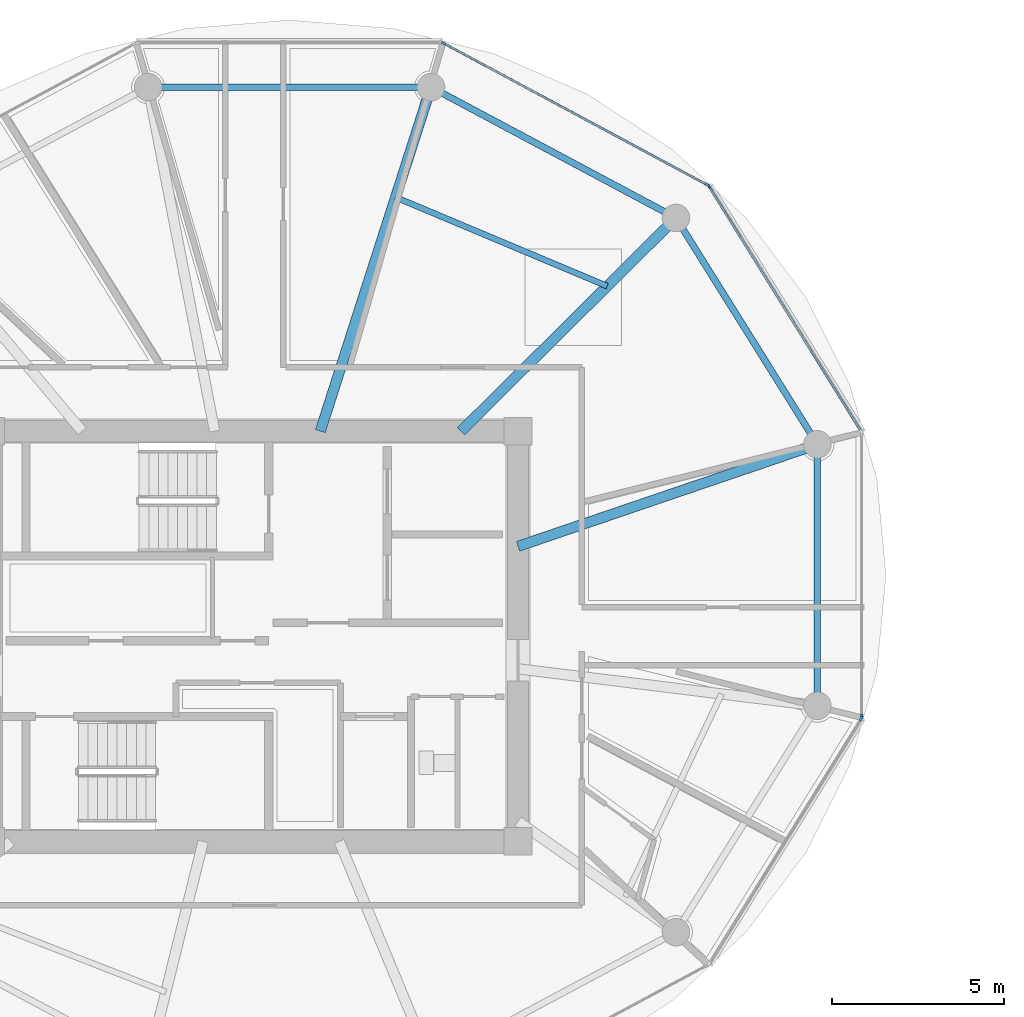
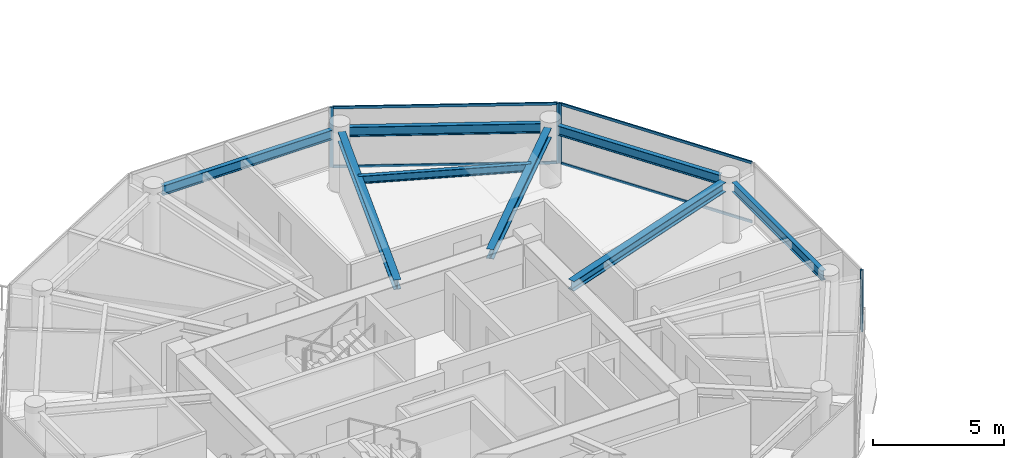
# One storey, part 5 of 25: 9 members, 8 beams, 4 elements without a shape of their own.
"""IFC4 building model written with IfcOpenShell, lengths in metres."""

from ifc_helpers import new_model, si_unit, direction, frame, origin, origin_2d, place, context, subcontext, project, spatial, rectangle, i_section, extrude, source, transform, mapped, material, layer, layer_set, material_profile, profile_set, type_object, type_shapes, element, aggregate, save


model = new_model("IFC4")

# Units and contexts
model_context = context("Model", 3, precision=1e-05, world=origin(), true_north=direction((0.0, 1.0)))
body_context = subcontext(model_context, "Body", "Model", "MODEL_VIEW")
ifc_project = project(units=[si_unit("LENGTHUNIT", "METRE"), si_unit("AREAUNIT", "SQUARE_METRE"), si_unit("VOLUMEUNIT", "CUBIC_METRE"), si_unit("PLANEANGLEUNIT", "RADIAN"), si_unit("MASSUNIT", "GRAM", prefix="KILO")], contexts=[model_context])

# Site, building, storey
site_placement = place(None, origin())
site = spatial("IfcSite", under=ifc_project, at=site_placement, CompositionType="ELEMENT")
building_placement = place(site_placement, origin())
building = spatial("IfcBuilding", under=site, at=building_placement, Name="Norrkilde Senior Care Towers", CompositionType="ELEMENT")
storey_placement = place(building_placement, frame((0.0, 0.0, 161.75)))
storey = spatial("IfcBuildingStorey", under=building, at=storey_placement, Name="L50", CompositionType="ELEMENT", Elevation=161.75)

# Beams
ifc_material_1 = material(Name="Steel S355", Category="steel")
ifc_material_profile_1 = material_profile(ifc_material_1, i_section(OverallWidth=0.18994140625, OverallDepth=0.449951171875, WebThickness=0.009521484375, FlangeThickness=0.0146484375, FilletRadius=0.02099609375, at=origin_2d()), Name="IPE 450")
ifc_profile_set_1 = profile_set([ifc_material_profile_1], Name="Steel S355")
beam_type_1 = type_object("IfcBeamType", Name="Perimeter Ring Spandrel Z3 IPE450", PredefinedType="SPANDREL", material=ifc_profile_set_1)
shared_shape_1 = source(origin(), body_context, "Body", "SweptSolid", [
    extrude(i_section(OverallWidth=0.18994140625, OverallDepth=0.449951171875, WebThickness=0.009521484375, FlangeThickness=0.0146484375, FilletRadius=0.02099609375, at=origin_2d()), origin(), (0.0, 0.0, 1.0), 7.0234375),
])
beam_1_placement = place(storey_placement, frame((-11.855712890625, 5.872314453125, 2.5849609375), z_axis=(-0.529789577822, 0.848129119433, 0.0), x_axis=(-0.848129119433, -0.529789577822, 0.0)))
element("IfcBeam", 1, at=beam_1_placement, inside=storey, type_object=beam_type_1, Name="L50 Drum W Perimeter Spandrel 01", PredefinedType="SPANDREL", context=body_context, shape_type="MappedRepresentation", body=[
    mapped(shared_shape_1, transform((0.0, 0.0, 0.0), x_axis=(1.0, 0.0, 0.0), y_axis=(0.0, 1.0, 0.0), z_axis=(0.0, 0.0, 1.0), scale=1.0)),
])
ifc_material_profile_2 = material_profile(ifc_material_1, i_section(OverallWidth=0.300048828125, OverallDepth=0.449951171875, WebThickness=0.013916015625, FlangeThickness=0.02587890625, FilletRadius=0.027099609375, at=origin_2d()), Name="HEB 450")
ifc_profile_set_2 = profile_set([ifc_material_profile_2], Name="Steel S355")
beam_type_2 = type_object("IfcBeamType", Name="Radial Floor Beam Z3 HEB450", PredefinedType="BEAM", material=ifc_profile_set_2)
shared_shape_2 = source(origin(), body_context, "Body", "SweptSolid", [
    extrude(i_section(OverallWidth=0.300048828125, OverallDepth=0.449951171875, WebThickness=0.013916015625, FlangeThickness=0.02587890625, FilletRadius=0.027099609375, at=origin_2d()), origin(), (0.0, 0.0, 1.0), 8.8154296875),
])
beam_2_placement = place(storey_placement, frame((-20.35009765625, 2.607177734375, 2.5849609375), z_axis=(0.946540556878, 0.322584832539, 0.0), x_axis=(-0.322584832539, 0.946540556878, 0.0)))
element("IfcBeam", 2, at=beam_2_placement, inside=storey, type_object=beam_type_2, Name="L50 Drum W Radial Floor Beam 01", PredefinedType="BEAM", context=body_context, shape_type="MappedRepresentation", body=[
    mapped(shared_shape_2, transform((0.0, 0.0, 0.0), x_axis=(1.0, 0.0, 0.0), y_axis=(0.0, 1.0, 0.0), z_axis=(0.0, 0.0, 1.0), scale=1.0)),
])
shared_shape_3 = source(origin(), body_context, "Body", "SweptSolid", [
    extrude(i_section(OverallWidth=0.18994140625, OverallDepth=0.449951171875, WebThickness=0.009521484375, FlangeThickness=0.0146484375, FilletRadius=0.02099609375, at=origin_2d()), origin(), (0.0, 0.0, 1.0), 7.333740234375),
])
beam_3_placement = place(storey_placement, frame((-16.0849609375, 12.303955078125, 2.5849609375), z_axis=(-0.882247866069, 0.470785198172, 0.0), x_axis=(-0.470785198172, -0.882247866069, 0.0)))
element("IfcBeam", 3, at=beam_3_placement, inside=storey, type_object=beam_type_1, Name="L50 Drum W Perimeter Spandrel 02", PredefinedType="SPANDREL", context=body_context, shape_type="MappedRepresentation", body=[
    mapped(shared_shape_3, transform((0.0, 0.0, 0.0), x_axis=(1.0, 0.0, 0.0), y_axis=(0.0, 1.0, 0.0), z_axis=(0.0, 0.0, 1.0), scale=1.0)),
])
shared_shape_4 = source(origin(), body_context, "Body", "SweptSolid", [
    extrude(i_section(OverallWidth=0.300048828125, OverallDepth=0.449951171875, WebThickness=0.013916015625, FlangeThickness=0.02587890625, FilletRadius=0.027099609375, at=origin_2d()), origin(), (0.0, 0.0, 1.0), 8.421630859375),
])
beam_4_placement = place(storey_placement, frame((-22.001953125, 5.949951171875, 2.5849609375), z_axis=(0.709956495972, 0.704245535184, 0.0), x_axis=(-0.704245535184, 0.709956495972, 0.0)))
element("IfcBeam", 4, at=beam_4_placement, inside=storey, type_object=beam_type_2, Name="L50 Drum W Radial Floor Beam 02", PredefinedType="BEAM", context=body_context, shape_type="MappedRepresentation", body=[
    mapped(shared_shape_4, transform((0.0, 0.0, 0.0), x_axis=(1.0, 0.0, 0.0), y_axis=(0.0, 1.0, 0.0), z_axis=(0.0, 0.0, 1.0), scale=1.0)),
])
shared_shape_5 = source(origin(), body_context, "Body", "SweptSolid", [
    extrude(i_section(OverallWidth=0.18994140625, OverallDepth=0.449951171875, WebThickness=0.009521484375, FlangeThickness=0.0146484375, FilletRadius=0.02099609375, at=origin_2d()), origin(), (0.0, 0.0, 1.0), 7.484619140625),
])
beam_5_placement = place(storey_placement, frame((-23.232666015625, 15.92626953125, 2.5849609375), z_axis=(-1.0, 0.0, 0.0), x_axis=(0.0, -1.0, 0.0)))
element("IfcBeam", 5, at=beam_5_placement, inside=storey, type_object=beam_type_1, Name="L50 Drum W Perimeter Spandrel 03", PredefinedType="SPANDREL", context=body_context, shape_type="MappedRepresentation", body=[
    mapped(shared_shape_5, transform((0.0, 0.0, 0.0), x_axis=(1.0, 0.0, 0.0), y_axis=(0.0, 1.0, 0.0), z_axis=(0.0, 0.0, 1.0), scale=1.0)),
])
shared_shape_6 = source(origin(), body_context, "Body", "SweptSolid", [
    extrude(i_section(OverallWidth=0.300048828125, OverallDepth=0.449951171875, WebThickness=0.013916015625, FlangeThickness=0.02587890625, FilletRadius=0.027099609375, at=origin_2d()), origin(), (0.0, 0.0, 1.0), 10.120361328125),
])
type_shapes(beam_type_2, [shared_shape_2, shared_shape_4, shared_shape_6])
beam_6_placement = place(storey_placement, frame((-26.08447265625, 5.949951171875, 2.5849609375), z_axis=(0.306440973744, 0.951889662519, 0.0), x_axis=(-0.951889662519, 0.306440973744, 0.0)))
element("IfcBeam", 6, at=beam_6_placement, inside=storey, type_object=beam_type_2, Name="L50 Drum W Radial Floor Beam 03", PredefinedType="BEAM", context=body_context, shape_type="MappedRepresentation", body=[
    mapped(shared_shape_6, transform((0.0, 0.0, 0.0), x_axis=(1.0, 0.0, 0.0), y_axis=(0.0, 1.0, 0.0), z_axis=(0.0, 0.0, 1.0), scale=1.0)),
])
shared_shape_7 = source(origin(), body_context, "Body", "SweptSolid", [
    extrude(i_section(OverallWidth=0.18994140625, OverallDepth=0.449951171875, WebThickness=0.009521484375, FlangeThickness=0.0146484375, FilletRadius=0.02099609375, at=origin_2d()), origin(), (0.0, 0.0, 1.0), 6.86328125),
])
type_shapes(beam_type_1, [shared_shape_1, shared_shape_3, shared_shape_5, shared_shape_7])
beam_7_placement = place(storey_placement, frame((-11.6650390625, -1.65625, 2.5849609375), z_axis=(0.0, 1.0, 0.0), x_axis=(-1.0, 0.0, 0.0)))
element("IfcBeam", 7, at=beam_7_placement, inside=storey, type_object=beam_type_1, Name="L50 Drum W Perimeter Spandrel 12", PredefinedType="SPANDREL", context=body_context, shape_type="MappedRepresentation", body=[
    mapped(shared_shape_7, transform((0.0, 0.0, 0.0), x_axis=(1.0, 0.0, 0.0), y_axis=(0.0, 1.0, 0.0), z_axis=(0.0, 0.0, 1.0), scale=1.0)),
])
ifc_material_profile_3 = material_profile(ifc_material_1, i_section(OverallWidth=0.169921875, OverallDepth=0.360107421875, WebThickness=0.008056640625, FlangeThickness=0.0126953125, FilletRadius=0.01806640625, at=origin_2d()), Name="IPE 360")
ifc_profile_set_3 = profile_set([ifc_material_profile_3], Name="Steel S355")
beam_type_3 = type_object("IfcBeamType", Name="Secondary Floor Joist IPE360", PredefinedType="JOIST", material=ifc_profile_set_3)
shared_shape_8 = source(origin(), body_context, "Body", "SweptSolid", [
    extrude(i_section(OverallWidth=0.169921875, OverallDepth=0.360107421875, WebThickness=0.008056640625, FlangeThickness=0.0126953125, FilletRadius=0.01806640625, at=origin_2d()), origin(), (0.0, 0.0, 1.0), 6.657470703125),
])
type_shapes(beam_type_3, [shared_shape_8])
beam_8_placement = place(storey_placement, frame((-17.762451171875, 10.155517578125, 2.6298828125), z_axis=(-0.921958799252, 0.387287971, 0.0), x_axis=(-0.387287971, -0.921958799252, 0.0)))
element("IfcBeam", 8, at=beam_8_placement, inside=storey, type_object=beam_type_3, Name="L50 Drum W Secondary Floor Joist 1", PredefinedType="JOIST", context=body_context, shape_type="MappedRepresentation", body=[
    mapped(shared_shape_8, transform((0.0, 0.0, 0.0), x_axis=(1.0, 0.0, 0.0), y_axis=(0.0, 1.0, 0.0), z_axis=(0.0, 0.0, 1.0), scale=1.0)),
])

# Curtain wall, member
ifc_material_2 = material(Name="Triple Low-E Insulated Glazing", Category="glass")
ifc_layer = layer(ifc_material_2, 0.18994140625)
ifc_layer_set = layer_set([ifc_layer], Name="Triple Low-E Insulated Glazing")
curtain_wall_type = type_object("IfcCurtainWallType", Name="CW4 Zone 3 Senior Residence Curtain Wall", PredefinedType="NOTDEFINED", material=ifc_layer_set)
curtain_wall_1_placement = place(storey_placement, origin())
curtain_wall_1 = element("IfcCurtainWall", 9, at=curtain_wall_1_placement, inside=storey, type_object=curtain_wall_type, Name="L50 Drum W Curtain Wall 00", PredefinedType="NOTDEFINED")
ifc_material_3 = material(Name="Anodised Aluminium", Category="aluminium")
ifc_material_profile_4 = material_profile(ifc_material_3, rectangle(XDim=0.06494140625, YDim=0.14990234375, at=origin_2d()), Name="ALU MULL 65x150")
ifc_profile_set_4 = profile_set([ifc_material_profile_4], Name="Anodised Aluminium")
member_type_1 = type_object("IfcMemberType", Name="Curtain Wall Mullion Z3-Z4 65x150", PredefinedType="MULLION", material=ifc_profile_set_4)
shared_shape_9 = source(origin(), body_context, "Body", "SweptSolid", [
    extrude(rectangle(XDim=0.06494140625, YDim=0.14990234375, at=origin_2d()), origin(), (0.0, 0.0, 1.0), 2.81005859375),
])
type_shapes(member_type_1, [shared_shape_9])
member_1_placement = place(storey_placement, frame((-14.809814453125, 13.04736328125, 0.0), z_axis=(0.0, 0.0, 1.0), x_axis=(0.84963405474, 0.52737270789, 0.0)))
member_1 = element("IfcMember", 10, at=member_1_placement, type_object=member_type_1, Name="CW-4 mullion 1", PredefinedType="MULLION", context=body_context, shape_type="MappedRepresentation", body=[
    mapped(shared_shape_9, transform((0.0, 0.0, 0.0), x_axis=(1.0, 0.0, 0.0), y_axis=(0.0, 1.0, 0.0), z_axis=(0.0, 0.0, 1.0), scale=1.0)),
])

# Curtain wall, members
curtain_wall_2_placement = place(storey_placement, origin())
curtain_wall_2 = element("IfcCurtainWall", 11, at=curtain_wall_2_placement, inside=storey, type_object=curtain_wall_type, Name="L50 Drum W Curtain Wall 01", PredefinedType="NOTDEFINED")
member_2_placement = place(storey_placement, frame((-22.499755859375, 17.195556640625, 0.0), z_axis=(0.0, 0.0, 1.0), x_axis=(0.47311715104, 0.880999524059, 0.0)))
member_2 = element("IfcMember", 12, at=member_2_placement, type_object=member_type_1, Name="CW-4 mullion 1", PredefinedType="MULLION", context=body_context, shape_type="MappedRepresentation", body=[
    mapped(shared_shape_9, transform((0.0, 0.0, 0.0), x_axis=(1.0, 0.0, 0.0), y_axis=(0.0, 1.0, 0.0), z_axis=(0.0, 0.0, 1.0), scale=1.0)),
])
member_3_placement = place(storey_placement, frame((-14.85546875, 13.09033203125, 0.0), z_axis=(0.0, 0.0, 1.0), x_axis=(0.47311715104, 0.880999524059, 0.0)))
member_3 = element("IfcMember", 13, at=member_3_placement, type_object=member_type_1, Name="CW-4 mullion 2", PredefinedType="MULLION", context=body_context, shape_type="MappedRepresentation", body=[
    mapped(shared_shape_9, transform((0.0, 0.0, 0.0), x_axis=(1.0, 0.0, 0.0), y_axis=(0.0, 1.0, 0.0), z_axis=(0.0, 0.0, 1.0), scale=1.0)),
])

# Curtain wall, member
curtain_wall_3_placement = place(storey_placement, origin())
curtain_wall_3 = element("IfcCurtainWall", 14, at=curtain_wall_3_placement, inside=storey, type_object=curtain_wall_type, Name="L50 Drum W Curtain Wall 10", PredefinedType="NOTDEFINED")
member_4_placement = place(storey_placement, frame((-10.3974609375, -2.38818359375, 0.0), z_axis=(0.0, 0.0, 1.0), x_axis=(0.84963405474, -0.52737270789, 0.0)))
member_4 = element("IfcMember", 15, at=member_4_placement, type_object=member_type_1, Name="CW-4 mullion 1", PredefinedType="MULLION", context=body_context, shape_type="MappedRepresentation", body=[
    mapped(shared_shape_9, transform((0.0, 0.0, 0.0), x_axis=(1.0, 0.0, 0.0), y_axis=(0.0, 1.0, 0.0), z_axis=(0.0, 0.0, 1.0), scale=1.0)),
])
aggregate(curtain_wall_3, [member_4])

curtain_wall_4_placement = place(storey_placement, origin())
curtain_wall_4 = element("IfcCurtainWall", 16, at=curtain_wall_4_placement, inside=storey, type_object=curtain_wall_type, Name="L50 Drum W Curtain Wall 11", PredefinedType="NOTDEFINED")
member_5_placement = place(storey_placement, frame((-10.38037109375, -2.328125, 0.0), z_axis=(0.0, 0.0, 1.0), x_axis=(1.0, 0.0, 0.0)))
member_5 = element("IfcMember", 17, at=member_5_placement, type_object=member_type_1, Name="CW-4 mullion 2", PredefinedType="MULLION", context=body_context, shape_type="MappedRepresentation", body=[
    mapped(shared_shape_9, transform((0.0, 0.0, 0.0), x_axis=(1.0, 0.0, 0.0), y_axis=(0.0, 1.0, 0.0), z_axis=(0.0, 0.0, 1.0), scale=1.0)),
])
aggregate(curtain_wall_4, [member_5])

# Member
ifc_material_profile_5 = material_profile(ifc_material_3, rectangle(XDim=0.06005859375, YDim=0.1201171875, at=origin_2d()), Name="ALU TRAN 60x120")
ifc_profile_set_5 = profile_set([ifc_material_profile_5], Name="Anodised Aluminium")
member_type_2 = type_object("IfcMemberType", Name="Curtain Wall Transom Typical 60x120", PredefinedType="USERDEFINED", material=ifc_profile_set_5)
shared_shape_10 = source(origin(), body_context, "Body", "SweptSolid", [
    extrude(rectangle(XDim=0.06005859375, YDim=0.1201171875, at=origin_2d()), origin(), (0.0, 0.0, 1.0), 8.301513671875),
])
member_6_placement = place(storey_placement, frame((-14.792724609375, 13.019775390625, 0.030029296875), z_axis=(0.527368718394, -0.849636531029, 0.0), x_axis=(0.849636531029, 0.527368718394, 0.0)))
member_6 = element("IfcMember", 18, at=member_6_placement, type_object=member_type_2, Name="CW-4 transom 1.1", ObjectType="TRANSOM", PredefinedType="USERDEFINED", context=body_context, shape_type="MappedRepresentation", body=[
    mapped(shared_shape_10, transform((0.0, 0.0, 0.0), x_axis=(1.0, 0.0, 0.0), y_axis=(0.0, 1.0, 0.0), z_axis=(0.0, 0.0, 1.0), scale=1.0)),
])

member_7_placement = place(storey_placement, frame((-14.792724609375, 13.019775390625, 2.780029296875), z_axis=(0.527368718394, -0.849636531029, 0.0), x_axis=(0.849636531029, 0.527368718394, 0.0)))
member_7 = element("IfcMember", 19, at=member_7_placement, type_object=member_type_2, Name="CW-4 transom 1.2", ObjectType="TRANSOM", PredefinedType="USERDEFINED", context=body_context, shape_type="MappedRepresentation", body=[
    mapped(shared_shape_10, transform((0.0, 0.0, 0.0), x_axis=(1.0, 0.0, 0.0), y_axis=(0.0, 1.0, 0.0), z_axis=(0.0, 0.0, 1.0), scale=1.0)),
])

aggregate(curtain_wall_1, [member_1, member_6, member_7])

shared_shape_11 = source(origin(), body_context, "Body", "SweptSolid", [
    extrude(rectangle(XDim=0.06005859375, YDim=0.1201171875, at=origin_2d()), origin(), (0.0, 0.0, 1.0), 8.61181640625),
])
type_shapes(member_type_2, [shared_shape_10, shared_shape_11])
member_8_placement = place(storey_placement, frame((-22.47119140625, 17.18017578125, 0.030029296875), z_axis=(0.880993991641, -0.473127452906, 0.0), x_axis=(0.473127452906, 0.880993991641, 0.0)))
member_8 = element("IfcMember", 20, at=member_8_placement, type_object=member_type_2, Name="CW-4 transom 1.1", ObjectType="TRANSOM", PredefinedType="USERDEFINED", context=body_context, shape_type="MappedRepresentation", body=[
    mapped(shared_shape_11, transform((0.0, 0.0, 0.0), x_axis=(1.0, 0.0, 0.0), y_axis=(0.0, 1.0, 0.0), z_axis=(0.0, 0.0, 1.0), scale=1.0)),
])

member_9_placement = place(storey_placement, frame((-22.47119140625, 17.18017578125, 2.780029296875), z_axis=(0.880993991641, -0.473127452906, 0.0), x_axis=(0.473127452906, 0.880993991641, 0.0)))
member_9 = element("IfcMember", 21, at=member_9_placement, type_object=member_type_2, Name="CW-4 transom 1.2", ObjectType="TRANSOM", PredefinedType="USERDEFINED", context=body_context, shape_type="MappedRepresentation", body=[
    mapped(shared_shape_11, transform((0.0, 0.0, 0.0), x_axis=(1.0, 0.0, 0.0), y_axis=(0.0, 1.0, 0.0), z_axis=(0.0, 0.0, 1.0), scale=1.0)),
])

aggregate(curtain_wall_2, [member_2, member_3, member_8, member_9])

save(model, "model.ifc")
